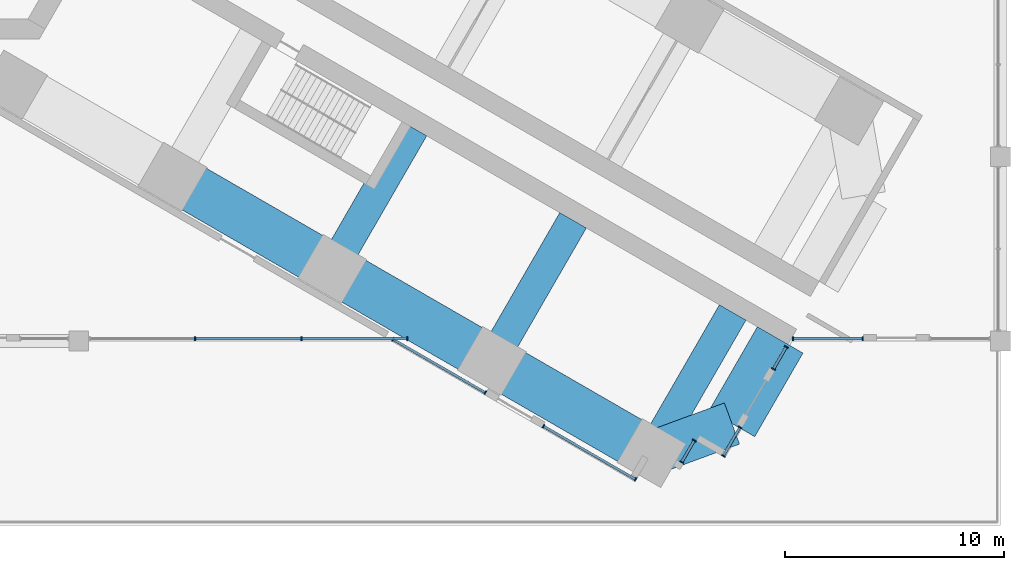
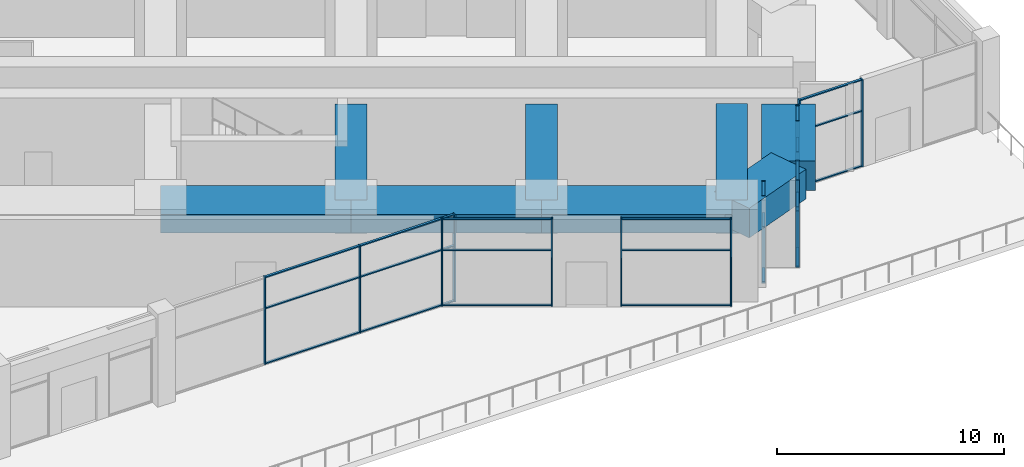
# One storey, part 11 of 34: 39 members, 8 beams, 7 elements without a shape of their own.
"""IFC4 building model written with IfcOpenShell, lengths in metres."""

from ifc_helpers import new_model, si_unit, direction, frame, origin, origin_2d, place, context, subcontext, project, spatial, rectangle, extrude, material, material_profile, profile_set, type_object, element, aggregate, save


model = new_model("IFC4")

# Units and contexts
model_context = context("Model", 3, precision=1e-05, world=origin(), true_north=direction((0.0, 1.0)))
body_context = subcontext(model_context, "Body", "Model", "MODEL_VIEW")
ifc_project = project(units=[si_unit("LENGTHUNIT", "METRE"), si_unit("AREAUNIT", "SQUARE_METRE"), si_unit("VOLUMEUNIT", "CUBIC_METRE"), si_unit("PLANEANGLEUNIT", "RADIAN"), si_unit("MASSUNIT", "GRAM", prefix="KILO")], contexts=[model_context])

# Site, building, storey
site_placement = place(None, origin())
site = spatial("IfcSite", under=ifc_project, at=site_placement, CompositionType="ELEMENT")
building_placement = place(site_placement, origin())
building = spatial("IfcBuilding", under=site, at=building_placement, Name="Impinga Residences", CompositionType="ELEMENT")
storey_placement = place(building_placement, frame((0.0, 0.0, 11.0)))
storey = spatial("IfcBuildingStorey", under=building, at=storey_placement, Name="L02", CompositionType="ELEMENT", Elevation=11.0)

# Beams
ifc_material_1 = material(Name="Concrete C60/75", Category="concrete")
ifc_material_profile_1 = material_profile(ifc_material_1, rectangle(XDim=2.0, YDim=1.60009765625, at=origin_2d()), Name="RC 2000x1600")
ifc_profile_set_1 = profile_set([ifc_material_profile_1], Name="Concrete C60/75")
beam_type_1 = type_object("IfcBeamType", Name="CB2 2000x1600 wing end cantilever beam", PredefinedType="BEAM", material=ifc_profile_set_1)
beam_1_placement = place(storey_placement, frame((34.49853515625, -30.31005859375, 3.89990234375), z_axis=(0.938520178725, 0.345224382289, 0.0), x_axis=(-0.345224382289, 0.938520178725, 0.0)))
element("IfcBeam", 1, at=beam_1_placement, inside=storey, type_object=beam_type_1, Name="Beam CB2 EE E5-EX level L03", PredefinedType="BEAM", context=body_context, shape_type="SweptSolid", body=[
    extrude(rectangle(XDim=2.0, YDim=1.60009765625, at=origin_2d()), origin(), (0.0, 0.0, 1.0), 3.905029296875),
])
ifc_material_profile_2 = material_profile(ifc_material_1, rectangle(XDim=1.39990234375, YDim=1.800048828125, at=origin_2d()), Name="RC 1400x1800")
ifc_profile_set_2 = profile_set([ifc_material_profile_2], Name="Concrete C60/75")
beam_type_2 = type_object("IfcBeamType", Name="CG4 1400x1800 cross girder on a wing bay line under the podium floors", PredefinedType="BEAM", material=ifc_profile_set_2)
beam_2_placement = place(storey_placement, frame((23.649169921875, -15.50146484375, 3.800048828125), z_axis=(-0.500003285667, -0.866023506795, 0.0), x_axis=(0.866023506795, -0.500003285667, 0.0)))
element("IfcBeam", 2, at=beam_2_placement, inside=storey, type_object=beam_type_2, Name="Beam CG4 E3 EC/EF level L03", PredefinedType="BEAM", context=body_context, shape_type="SweptSolid", body=[
    extrude(rectangle(XDim=1.39990234375, YDim=1.800048828125, at=origin_2d()), origin(), (0.0, 0.0, 1.0), 7.39990234375),
])
for number, where, z_axis, x_axis, name in (
    (3, (30.923828125, -19.701416015625, 3.800048828125), (-0.499988999718, -0.866031754707, 0.0), (0.866031754707, -0.499988999718, 0.0), "Beam CG4 E4 EC/EF level L03"),
    (4, (38.198486328125, -23.9013671875, 3.800048828125), (-0.499988999718, -0.866031754707, 0.0), (0.866031754707, -0.499988999718, 0.0), "Beam CG4 E5 EC/EF level L03"),
):
    element("IfcBeam", number, at=place(storey_placement, frame(where, z_axis=z_axis, x_axis=x_axis)), inside=storey, type_object=beam_type_2, Name=name, PredefinedType="BEAM", context=body_context, shape_type="SweptSolid", body=[
        extrude(rectangle(XDim=1.39990234375, YDim=1.800048828125, at=origin_2d()), origin(), (0.0, 0.0, 1.0), 7.400146484375),
    ])

# Curtain wall, members
ifc_material_2 = material(Name="Aluminium stick curtain wall", Category="aluminium")
curtain_wall_type = type_object("IfcCurtainWallType", Name="CW1 podium amenity curtain wall", PredefinedType="USERDEFINED", material=ifc_material_2)
curtain_wall_1_placement = place(storey_placement, origin())
curtain_wall_1 = element("IfcCurtainWall", 5, at=curtain_wall_1_placement, inside=storey, type_object=curtain_wall_type, Name="Curtain wall CW1 L02", ObjectType="STICK CURTAIN WALL", PredefinedType="USERDEFINED")
ifc_material_3 = material(Name="Aluminium mullion", Category="aluminium")
ifc_material_profile_3 = material_profile(ifc_material_3, rectangle(XDim=0.06005859375, YDim=0.179931640625, at=origin_2d()), Name="60x180 mullion")
ifc_profile_set_3 = profile_set([ifc_material_profile_3], Name="Aluminium mullion")
member_type_1 = type_object("IfcMemberType", Name="CW1-M mullion 60x180", PredefinedType="MULLION", material=ifc_profile_set_3)
member_1_placement = place(storey_placement, frame((44.12646484375, -25.10009765625, 0.0), z_axis=(0.0, 0.0, 1.0), x_axis=(-1.0, 0.0, 0.0)))
member_1 = element("IfcMember", 6, at=member_1_placement, type_object=member_type_1, Name="CW1 mullion 1", PredefinedType="MULLION", context=body_context, shape_type="SweptSolid", body=[
    extrude(rectangle(XDim=0.06005859375, YDim=0.179931640625, at=origin_2d()), origin(), (0.0, 0.0, 1.0), 4.699951171875),
])
member_2_placement = place(storey_placement, frame((40.94287109375, -25.10009765625, 0.0), z_axis=(0.0, 0.0, 1.0), x_axis=(-1.0, 0.0, 0.0)))
member_2 = element("IfcMember", 7, at=member_2_placement, type_object=member_type_1, Name="CW1 mullion 2", PredefinedType="MULLION", context=body_context, shape_type="SweptSolid", body=[
    extrude(rectangle(XDim=0.06005859375, YDim=0.179931640625, at=origin_2d()), origin(), (0.0, 0.0, 1.0), 4.699951171875),
])

curtain_wall_2_placement = place(storey_placement, origin())
curtain_wall_2 = element("IfcCurtainWall", 8, at=curtain_wall_2_placement, inside=storey, type_object=curtain_wall_type, Name="Curtain wall CW1 L02", ObjectType="STICK CURTAIN WALL", PredefinedType="USERDEFINED")
member_3_placement = place(storey_placement, frame((40.637939453125, -25.47607421875, 0.0), z_axis=(0.0, 0.0, 1.0), x_axis=(-0.500000310039, -0.866025224783, 0.0)))
member_3 = element("IfcMember", 9, at=member_3_placement, type_object=member_type_1, Name="CW1 mullion 1", PredefinedType="MULLION", context=body_context, shape_type="SweptSolid", body=[
    extrude(rectangle(XDim=0.06005859375, YDim=0.179931640625, at=origin_2d()), origin(), (0.0, 0.0, 1.0), 4.699951171875),
])
member_4_placement = place(storey_placement, frame((40.05810546875, -26.48046875, 0.0), z_axis=(0.0, 0.0, 1.0), x_axis=(-0.500000310039, -0.866025224783, 0.0)))
member_4 = element("IfcMember", 10, at=member_4_placement, type_object=member_type_1, Name="CW1 mullion 2", PredefinedType="MULLION", context=body_context, shape_type="SweptSolid", body=[
    extrude(rectangle(XDim=0.06005859375, YDim=0.179931640625, at=origin_2d()), origin(), (0.0, 0.0, 1.0), 4.699951171875),
])

curtain_wall_3_placement = place(storey_placement, origin())
curtain_wall_3 = element("IfcCurtainWall", 11, at=curtain_wall_3_placement, inside=storey, type_object=curtain_wall_type, Name="Curtain wall CW1 L02", ObjectType="STICK CURTAIN WALL", PredefinedType="USERDEFINED")
member_5_placement = place(storey_placement, frame((38.528076171875, -29.130615234375, 0.0), z_axis=(0.0, 0.0, 1.0), x_axis=(-0.499999723955, -0.866025563159, 0.0)))
member_5 = element("IfcMember", 12, at=member_5_placement, type_object=member_type_1, Name="CW1 mullion 1", PredefinedType="MULLION", context=body_context, shape_type="SweptSolid", body=[
    extrude(rectangle(XDim=0.06005859375, YDim=0.179931640625, at=origin_2d()), origin(), (0.0, 0.0, 1.0), 4.699951171875),
])
member_6_placement = place(storey_placement, frame((37.77490234375, -30.43505859375, 0.0), z_axis=(0.0, 0.0, 1.0), x_axis=(-0.499999723955, -0.866025563159, 0.0)))
member_6 = element("IfcMember", 13, at=member_6_placement, type_object=member_type_1, Name="CW1 mullion 2", PredefinedType="MULLION", context=body_context, shape_type="SweptSolid", body=[
    extrude(rectangle(XDim=0.06005859375, YDim=0.179931640625, at=origin_2d()), origin(), (0.0, 0.0, 1.0), 4.699951171875),
])

curtain_wall_4_placement = place(storey_placement, origin())
curtain_wall_4 = element("IfcCurtainWall", 14, at=curtain_wall_4_placement, inside=storey, type_object=curtain_wall_type, Name="Curtain wall CW1 L02", ObjectType="STICK CURTAIN WALL", PredefinedType="USERDEFINED")
member_7_placement = place(storey_placement, frame((36.44580078125, -29.737060546875, 0.0), z_axis=(0.0, 0.0, 1.0), x_axis=(-0.499999813995, -0.866025511175, 0.0)))
member_7 = element("IfcMember", 15, at=member_7_placement, type_object=member_type_1, Name="CW1 mullion 1", PredefinedType="MULLION", context=body_context, shape_type="SweptSolid", body=[
    extrude(rectangle(XDim=0.06005859375, YDim=0.179931640625, at=origin_2d()), origin(), (0.0, 0.0, 1.0), 4.699951171875),
])
member_8_placement = place(storey_placement, frame((35.8759765625, -30.72412109375, 0.0), z_axis=(0.0, 0.0, 1.0), x_axis=(-0.499999813995, -0.866025511175, 0.0)))
member_8 = element("IfcMember", 16, at=member_8_placement, type_object=member_type_1, Name="CW1 mullion 2", PredefinedType="MULLION", context=body_context, shape_type="SweptSolid", body=[
    extrude(rectangle(XDim=0.06005859375, YDim=0.179931640625, at=origin_2d()), origin(), (0.0, 0.0, 1.0), 4.699951171875),
])

curtain_wall_5_placement = place(storey_placement, origin())
curtain_wall_5 = element("IfcCurtainWall", 17, at=curtain_wall_5_placement, inside=storey, type_object=curtain_wall_type, Name="Curtain wall CW1 L02", ObjectType="STICK CURTAIN WALL", PredefinedType="USERDEFINED")
member_9_placement = place(storey_placement, frame((33.7724609375, -31.50732421875, 0.0), z_axis=(0.0, 0.0, 1.0), x_axis=(-0.866025446964, 0.499999925211, 0.0)))
member_9 = element("IfcMember", 18, at=member_9_placement, type_object=member_type_1, Name="CW1 mullion 1", PredefinedType="MULLION", context=body_context, shape_type="SweptSolid", body=[
    extrude(rectangle(XDim=0.06005859375, YDim=0.179931640625, at=origin_2d()), origin(), (0.0, 0.0, 1.0), 4.699951171875),
])
member_10_placement = place(storey_placement, frame((29.572998046875, -29.0830078125, 0.0), z_axis=(0.0, 0.0, 1.0), x_axis=(-0.866025446964, 0.499999925211, 0.0)))
member_10 = element("IfcMember", 19, at=member_10_placement, type_object=member_type_1, Name="CW1 mullion 2", PredefinedType="MULLION", context=body_context, shape_type="SweptSolid", body=[
    extrude(rectangle(XDim=0.06005859375, YDim=0.179931640625, at=origin_2d()), origin(), (0.0, 0.0, 1.0), 4.699951171875),
])

curtain_wall_6_placement = place(storey_placement, origin())
curtain_wall_6 = element("IfcCurtainWall", 20, at=curtain_wall_6_placement, inside=storey, type_object=curtain_wall_type, Name="Curtain wall CW1 L02", ObjectType="STICK CURTAIN WALL", PredefinedType="USERDEFINED")
member_11_placement = place(storey_placement, frame((26.923095703125, -27.552978515625, 0.0), z_axis=(0.0, 0.0, 1.0), x_axis=(-0.866025358764, 0.500000077978, 0.0)))
member_11 = element("IfcMember", 21, at=member_11_placement, type_object=member_type_1, Name="CW1 mullion 1", PredefinedType="MULLION", context=body_context, shape_type="SweptSolid", body=[
    extrude(rectangle(XDim=0.06005859375, YDim=0.179931640625, at=origin_2d()), origin(), (0.0, 0.0, 1.0), 4.699951171875),
])
member_12_placement = place(storey_placement, frame((22.7236328125, -25.12841796875, 0.0), z_axis=(0.0, 0.0, 1.0), x_axis=(-0.866025358764, 0.500000077978, 0.0)))
member_12 = element("IfcMember", 22, at=member_12_placement, type_object=member_type_1, Name="CW1 mullion 2", PredefinedType="MULLION", context=body_context, shape_type="SweptSolid", body=[
    extrude(rectangle(XDim=0.06005859375, YDim=0.179931640625, at=origin_2d()), origin(), (0.0, 0.0, 1.0), 4.699951171875),
])

curtain_wall_7_placement = place(storey_placement, origin())
curtain_wall_7 = element("IfcCurtainWall", 23, at=curtain_wall_7_placement, inside=storey, type_object=curtain_wall_type, Name="Curtain wall CW1 L02", ObjectType="STICK CURTAIN WALL", PredefinedType="USERDEFINED")
member_13_placement = place(storey_placement, frame((23.364013671875, -25.10009765625, 0.0), z_axis=(0.0, 0.0, 1.0), x_axis=(-1.0, 0.0, 0.0)))
member_13 = element("IfcMember", 24, at=member_13_placement, type_object=member_type_1, Name="CW1 mullion 1", PredefinedType="MULLION", context=body_context, shape_type="SweptSolid", body=[
    extrude(rectangle(XDim=0.06005859375, YDim=0.179931640625, at=origin_2d()), origin(), (0.0, 0.0, 1.0), 4.699951171875),
])
member_14_placement = place(storey_placement, frame((18.547119140625, -25.10009765625, 0.0), z_axis=(0.0, 0.0, 1.0), x_axis=(-1.0, 0.0, 0.0)))
member_14 = element("IfcMember", 25, at=member_14_placement, type_object=member_type_1, Name="CW1 mullion 2", PredefinedType="MULLION", context=body_context, shape_type="SweptSolid", body=[
    extrude(rectangle(XDim=0.06005859375, YDim=0.179931640625, at=origin_2d()), origin(), (0.0, 0.0, 1.0), 4.699951171875),
])
member_15_placement = place(storey_placement, frame((13.699951171875, -25.10009765625, 0.0), z_axis=(0.0, 0.0, 1.0), x_axis=(-1.0, 0.0, 0.0)))
member_15 = element("IfcMember", 26, at=member_15_placement, type_object=member_type_1, Name="CW1 mullion 3", PredefinedType="MULLION", context=body_context, shape_type="SweptSolid", body=[
    extrude(rectangle(XDim=0.06005859375, YDim=0.179931640625, at=origin_2d()), origin(), (0.0, 0.0, 1.0), 4.699951171875),
])

# Member
ifc_material_4 = material(Name="Aluminium transom", Category="aluminium")
ifc_material_profile_4 = material_profile(ifc_material_4, rectangle(XDim=0.06005859375, YDim=0.1201171875, at=origin_2d()), Name="60x120 transom")
ifc_profile_set_4 = profile_set([ifc_material_profile_4], Name="Aluminium transom")
member_type_2 = type_object("IfcMemberType", Name="CW1-T transom 60x120", PredefinedType="USERDEFINED", material=ifc_profile_set_4)
member_16_placement = place(storey_placement, frame((44.096435546875, -25.10009765625, 0.030029296875), z_axis=(-1.0, 0.0, 0.0), x_axis=(0.0, 0.0, 1.0)))
member_16 = element("IfcMember", 27, at=member_16_placement, type_object=member_type_2, Name="CW1 transom 1.1", ObjectType="TRANSOM", PredefinedType="USERDEFINED", context=body_context, shape_type="SweptSolid", body=[
    extrude(rectangle(XDim=0.06005859375, YDim=0.1201171875, at=origin_2d()), origin(), (0.0, 0.0, 1.0), 3.12353515625),
])

member_17_placement = place(storey_placement, frame((44.096435546875, -25.10009765625, 3.0), z_axis=(-1.0, 0.0, 0.0), x_axis=(0.0, 0.0, 1.0)))
member_17 = element("IfcMember", 28, at=member_17_placement, type_object=member_type_2, Name="CW1 transom 1.2", ObjectType="TRANSOM", PredefinedType="USERDEFINED", context=body_context, shape_type="SweptSolid", body=[
    extrude(rectangle(XDim=0.06005859375, YDim=0.1201171875, at=origin_2d()), origin(), (0.0, 0.0, 1.0), 3.12353515625),
])

member_18_placement = place(storey_placement, frame((44.096435546875, -25.10009765625, 4.669921875), z_axis=(-1.0, 0.0, 0.0), x_axis=(0.0, 0.0, 1.0)))
member_18 = element("IfcMember", 29, at=member_18_placement, type_object=member_type_2, Name="CW1 transom 1.3", ObjectType="TRANSOM", PredefinedType="USERDEFINED", context=body_context, shape_type="SweptSolid", body=[
    extrude(rectangle(XDim=0.06005859375, YDim=0.1201171875, at=origin_2d()), origin(), (0.0, 0.0, 1.0), 3.12353515625),
])

aggregate(curtain_wall_1, [member_1, member_2, member_16, member_17, member_18])

member_19_placement = place(storey_placement, frame((40.623046875, -25.501953125, 0.030029296875), z_axis=(-0.50002983664, -0.866008176907, 0.0), x_axis=(0.0, 0.0, 1.0)))
member_19 = element("IfcMember", 30, at=member_19_placement, type_object=member_type_2, Name="CW1 transom 1.1", ObjectType="TRANSOM", PredefinedType="USERDEFINED", context=body_context, shape_type="SweptSolid", body=[
    extrude(rectangle(XDim=0.06005859375, YDim=0.1201171875, at=origin_2d()), origin(), (0.0, 0.0, 1.0), 1.10009765625),
])

member_20_placement = place(storey_placement, frame((40.623046875, -25.501953125, 3.0), z_axis=(-0.50002983664, -0.866008176907, 0.0), x_axis=(0.0, 0.0, 1.0)))
member_20 = element("IfcMember", 31, at=member_20_placement, type_object=member_type_2, Name="CW1 transom 1.2", ObjectType="TRANSOM", PredefinedType="USERDEFINED", context=body_context, shape_type="SweptSolid", body=[
    extrude(rectangle(XDim=0.06005859375, YDim=0.1201171875, at=origin_2d()), origin(), (0.0, 0.0, 1.0), 1.10009765625),
])

member_21_placement = place(storey_placement, frame((40.623046875, -25.501953125, 4.669921875), z_axis=(-0.50002983664, -0.866008176907, 0.0), x_axis=(0.0, 0.0, 1.0)))
member_21 = element("IfcMember", 32, at=member_21_placement, type_object=member_type_2, Name="CW1 transom 1.3", ObjectType="TRANSOM", PredefinedType="USERDEFINED", context=body_context, shape_type="SweptSolid", body=[
    extrude(rectangle(XDim=0.06005859375, YDim=0.1201171875, at=origin_2d()), origin(), (0.0, 0.0, 1.0), 1.10009765625),
])

aggregate(curtain_wall_2, [member_3, member_4, member_19, member_20, member_21])

member_22_placement = place(storey_placement, frame((38.51318359375, -29.156494140625, 0.030029296875), z_axis=(-0.500024450573, -0.866011286779, 0.0), x_axis=(0.0, 0.0, 1.0)))
member_22 = element("IfcMember", 33, at=member_22_placement, type_object=member_type_2, Name="CW1 transom 1.1", ObjectType="TRANSOM", PredefinedType="USERDEFINED", context=body_context, shape_type="SweptSolid", body=[
    extrude(rectangle(XDim=0.06005859375, YDim=0.1201171875, at=origin_2d()), origin(), (0.0, 0.0, 1.0), 1.4462890625),
])

member_23_placement = place(storey_placement, frame((38.51318359375, -29.156494140625, 3.0), z_axis=(-0.500024450573, -0.866011286779, 0.0), x_axis=(0.0, 0.0, 1.0)))
member_23 = element("IfcMember", 34, at=member_23_placement, type_object=member_type_2, Name="CW1 transom 1.2", ObjectType="TRANSOM", PredefinedType="USERDEFINED", context=body_context, shape_type="SweptSolid", body=[
    extrude(rectangle(XDim=0.06005859375, YDim=0.1201171875, at=origin_2d()), origin(), (0.0, 0.0, 1.0), 1.4462890625),
])

member_24_placement = place(storey_placement, frame((38.51318359375, -29.156494140625, 4.669921875), z_axis=(-0.500024450573, -0.866011286779, 0.0), x_axis=(0.0, 0.0, 1.0)))
member_24 = element("IfcMember", 35, at=member_24_placement, type_object=member_type_2, Name="CW1 transom 1.3", ObjectType="TRANSOM", PredefinedType="USERDEFINED", context=body_context, shape_type="SweptSolid", body=[
    extrude(rectangle(XDim=0.06005859375, YDim=0.1201171875, at=origin_2d()), origin(), (0.0, 0.0, 1.0), 1.4462890625),
])

aggregate(curtain_wall_3, [member_5, member_6, member_22, member_23, member_24])

member_25_placement = place(storey_placement, frame((36.430908203125, -29.762939453125, 0.030029296875), z_axis=(-0.500029011134, -0.866008653551, 0.0), x_axis=(0.0, 0.0, 1.0)))
member_25 = element("IfcMember", 36, at=member_25_placement, type_object=member_type_2, Name="CW1 transom 1.1", ObjectType="TRANSOM", PredefinedType="USERDEFINED", context=body_context, shape_type="SweptSolid", body=[
    extrude(rectangle(XDim=0.06005859375, YDim=0.1201171875, at=origin_2d()), origin(), (0.0, 0.0, 1.0), 1.080078125),
])

member_26_placement = place(storey_placement, frame((36.430908203125, -29.762939453125, 3.0), z_axis=(-0.500029011134, -0.866008653551, 0.0), x_axis=(0.0, 0.0, 1.0)))
member_26 = element("IfcMember", 37, at=member_26_placement, type_object=member_type_2, Name="CW1 transom 1.2", ObjectType="TRANSOM", PredefinedType="USERDEFINED", context=body_context, shape_type="SweptSolid", body=[
    extrude(rectangle(XDim=0.06005859375, YDim=0.1201171875, at=origin_2d()), origin(), (0.0, 0.0, 1.0), 1.080078125),
])

member_27_placement = place(storey_placement, frame((36.430908203125, -29.762939453125, 4.669921875), z_axis=(-0.500029011134, -0.866008653551, 0.0), x_axis=(0.0, 0.0, 1.0)))
member_27 = element("IfcMember", 38, at=member_27_placement, type_object=member_type_2, Name="CW1 transom 1.3", ObjectType="TRANSOM", PredefinedType="USERDEFINED", context=body_context, shape_type="SweptSolid", body=[
    extrude(rectangle(XDim=0.06005859375, YDim=0.1201171875, at=origin_2d()), origin(), (0.0, 0.0, 1.0), 1.080078125),
])

aggregate(curtain_wall_4, [member_7, member_8, member_25, member_26, member_27])

member_28_placement = place(storey_placement, frame((33.74658203125, -31.492431640625, 0.030029296875), z_axis=(-0.866025985952, 0.499998991654, 0.0), x_axis=(0.0, 0.0, 1.0)))
member_28 = element("IfcMember", 39, at=member_28_placement, type_object=member_type_2, Name="CW1 transom 1.1", ObjectType="TRANSOM", PredefinedType="USERDEFINED", context=body_context, shape_type="SweptSolid", body=[
    extrude(rectangle(XDim=0.06005859375, YDim=0.1201171875, at=origin_2d()), origin(), (0.0, 0.0, 1.0), 4.7890625),
])

member_29_placement = place(storey_placement, frame((33.74658203125, -31.492431640625, 3.0), z_axis=(-0.866025985952, 0.499998991654, 0.0), x_axis=(0.0, 0.0, 1.0)))
member_29 = element("IfcMember", 40, at=member_29_placement, type_object=member_type_2, Name="CW1 transom 1.2", ObjectType="TRANSOM", PredefinedType="USERDEFINED", context=body_context, shape_type="SweptSolid", body=[
    extrude(rectangle(XDim=0.06005859375, YDim=0.1201171875, at=origin_2d()), origin(), (0.0, 0.0, 1.0), 4.7890625),
])

member_30_placement = place(storey_placement, frame((33.74658203125, -31.492431640625, 4.669921875), z_axis=(-0.866025985952, 0.499998991654, 0.0), x_axis=(0.0, 0.0, 1.0)))
member_30 = element("IfcMember", 41, at=member_30_placement, type_object=member_type_2, Name="CW1 transom 1.3", ObjectType="TRANSOM", PredefinedType="USERDEFINED", context=body_context, shape_type="SweptSolid", body=[
    extrude(rectangle(XDim=0.06005859375, YDim=0.1201171875, at=origin_2d()), origin(), (0.0, 0.0, 1.0), 4.7890625),
])

aggregate(curtain_wall_5, [member_9, member_10, member_28, member_29, member_30])

member_31_placement = place(storey_placement, frame((26.89697265625, -27.537841796875, 0.030029296875), z_axis=(-0.866013240487, 0.500021066857, 0.0), x_axis=(0.0, 0.0, 1.0)))
member_31 = element("IfcMember", 42, at=member_31_placement, type_object=member_type_2, Name="CW1 transom 1.1", ObjectType="TRANSOM", PredefinedType="USERDEFINED", context=body_context, shape_type="SweptSolid", body=[
    extrude(rectangle(XDim=0.06005859375, YDim=0.1201171875, at=origin_2d()), origin(), (0.0, 0.0, 1.0), 4.788818359375),
])

member_32_placement = place(storey_placement, frame((26.89697265625, -27.537841796875, 3.0), z_axis=(-0.866013240487, 0.500021066857, 0.0), x_axis=(0.0, 0.0, 1.0)))
member_32 = element("IfcMember", 43, at=member_32_placement, type_object=member_type_2, Name="CW1 transom 1.2", ObjectType="TRANSOM", PredefinedType="USERDEFINED", context=body_context, shape_type="SweptSolid", body=[
    extrude(rectangle(XDim=0.06005859375, YDim=0.1201171875, at=origin_2d()), origin(), (0.0, 0.0, 1.0), 4.788818359375),
])

member_33_placement = place(storey_placement, frame((26.89697265625, -27.537841796875, 4.669921875), z_axis=(-0.866013240487, 0.500021066857, 0.0), x_axis=(0.0, 0.0, 1.0)))
member_33 = element("IfcMember", 44, at=member_33_placement, type_object=member_type_2, Name="CW1 transom 1.3", ObjectType="TRANSOM", PredefinedType="USERDEFINED", context=body_context, shape_type="SweptSolid", body=[
    extrude(rectangle(XDim=0.06005859375, YDim=0.1201171875, at=origin_2d()), origin(), (0.0, 0.0, 1.0), 4.788818359375),
])

aggregate(curtain_wall_6, [member_11, member_12, member_31, member_32, member_33])

member_34_placement = place(storey_placement, frame((23.333984375, -25.10009765625, 0.030029296875), z_axis=(-1.0, 0.0, 0.0), x_axis=(0.0, 0.0, 1.0)))
member_34 = element("IfcMember", 45, at=member_34_placement, type_object=member_type_2, Name="CW1 transom 1.1", ObjectType="TRANSOM", PredefinedType="USERDEFINED", context=body_context, shape_type="SweptSolid", body=[
    extrude(rectangle(XDim=0.06005859375, YDim=0.1201171875, at=origin_2d()), origin(), (0.0, 0.0, 1.0), 4.7568359375),
])

member_35_placement = place(storey_placement, frame((23.333984375, -25.10009765625, 3.0), z_axis=(-1.0, 0.0, 0.0), x_axis=(0.0, 0.0, 1.0)))
member_35 = element("IfcMember", 46, at=member_35_placement, type_object=member_type_2, Name="CW1 transom 1.2", ObjectType="TRANSOM", PredefinedType="USERDEFINED", context=body_context, shape_type="SweptSolid", body=[
    extrude(rectangle(XDim=0.06005859375, YDim=0.1201171875, at=origin_2d()), origin(), (0.0, 0.0, 1.0), 4.7568359375),
])

member_36_placement = place(storey_placement, frame((23.333984375, -25.10009765625, 4.669921875), z_axis=(-1.0, 0.0, 0.0), x_axis=(0.0, 0.0, 1.0)))
member_36 = element("IfcMember", 47, at=member_36_placement, type_object=member_type_2, Name="CW1 transom 1.3", ObjectType="TRANSOM", PredefinedType="USERDEFINED", context=body_context, shape_type="SweptSolid", body=[
    extrude(rectangle(XDim=0.06005859375, YDim=0.1201171875, at=origin_2d()), origin(), (0.0, 0.0, 1.0), 4.7568359375),
])

member_37_placement = place(storey_placement, frame((18.51708984375, -25.10009765625, 0.030029296875), z_axis=(-1.0, 0.0, 0.0), x_axis=(0.0, 0.0, 1.0)))
member_37 = element("IfcMember", 48, at=member_37_placement, type_object=member_type_2, Name="CW1 transom 2.1", ObjectType="TRANSOM", PredefinedType="USERDEFINED", context=body_context, shape_type="SweptSolid", body=[
    extrude(rectangle(XDim=0.06005859375, YDim=0.1201171875, at=origin_2d()), origin(), (0.0, 0.0, 1.0), 4.787109375),
])

member_38_placement = place(storey_placement, frame((18.51708984375, -25.10009765625, 3.0), z_axis=(-1.0, 0.0, 0.0), x_axis=(0.0, 0.0, 1.0)))
member_38 = element("IfcMember", 49, at=member_38_placement, type_object=member_type_2, Name="CW1 transom 2.2", ObjectType="TRANSOM", PredefinedType="USERDEFINED", context=body_context, shape_type="SweptSolid", body=[
    extrude(rectangle(XDim=0.06005859375, YDim=0.1201171875, at=origin_2d()), origin(), (0.0, 0.0, 1.0), 4.787109375),
])

member_39_placement = place(storey_placement, frame((18.51708984375, -25.10009765625, 4.669921875), z_axis=(-1.0, 0.0, 0.0), x_axis=(0.0, 0.0, 1.0)))
member_39 = element("IfcMember", 50, at=member_39_placement, type_object=member_type_2, Name="CW1 transom 2.3", ObjectType="TRANSOM", PredefinedType="USERDEFINED", context=body_context, shape_type="SweptSolid", body=[
    extrude(rectangle(XDim=0.06005859375, YDim=0.1201171875, at=origin_2d()), origin(), (0.0, 0.0, 1.0), 4.787109375),
])

aggregate(curtain_wall_7, [member_13, member_14, member_15, member_34, member_35, member_36, member_37, member_38, member_39])

# Beams
ifc_material_profile_5 = material_profile(ifc_material_1, rectangle(XDim=2.39990234375, YDim=1.60009765625, at=origin_2d()), Name="RC 2400x1600")
ifc_profile_set_5 = profile_set([ifc_material_profile_5], Name="Concrete C60/75")
beam_type_3 = type_object("IfcBeamType", Name="EB2 2400x1600 wing end beam", PredefinedType="BEAM", material=ifc_profile_set_5)
beam_3_placement = place(storey_placement, frame((40.363525390625, -25.1513671875, 3.89990234375), z_axis=(-0.499988222896, -0.866032203192, 0.0), x_axis=(0.866032203192, -0.499988222896, 0.0)))
element("IfcBeam", 51, at=beam_3_placement, inside=storey, type_object=beam_type_3, Name="Beam EB2 EX4 level L03", PredefinedType="BEAM", context=body_context, shape_type="SweptSolid", body=[
    extrude(rectangle(XDim=2.39990234375, YDim=1.60009765625, at=origin_2d()), origin(), (0.0, 0.0, 1.0), 4.39990234375),
])
ifc_material_profile_6 = material_profile(ifc_material_1, rectangle(XDim=2.199951171875, YDim=1.0, at=origin_2d()), Name="RC 2200x1000")
ifc_profile_set_6 = profile_set([ifc_material_profile_6], Name="Concrete C60/75")
beam_type_4 = type_object("IfcBeamType", Name="PB3 2200x1000 podium band beam", PredefinedType="BEAM", material=ifc_profile_set_6)
beam_4_placement = place(storey_placement, frame((12.674560546875, -17.7099609375, 4.199951171875), z_axis=(0.86602925447, -0.499993330357, 0.0), x_axis=(0.499993330357, 0.86602925447, 0.0)))
element("IfcBeam", 52, at=beam_4_placement, inside=storey, type_object=beam_type_4, Name="Beam PB3 EF E2-E3 level L03", PredefinedType="BEAM", context=body_context, shape_type="SweptSolid", body=[
    extrude(rectangle(XDim=2.199951171875, YDim=1.0, at=origin_2d()), origin(), (0.0, 0.0, 1.0), 8.39990234375),
])
beam_5_placement = place(storey_placement, frame((19.94921875, -21.909912109375, 4.199951171875), z_axis=(0.866016669275, -0.500015128309, 0.0), x_axis=(0.500015128309, 0.866016669275, 0.0)))
element("IfcBeam", 53, at=beam_5_placement, inside=storey, type_object=beam_type_4, Name="Beam PB3 EF E3-E4 level L03", PredefinedType="BEAM", context=body_context, shape_type="SweptSolid", body=[
    extrude(rectangle(XDim=2.199951171875, YDim=1.0, at=origin_2d()), origin(), (0.0, 0.0, 1.0), 8.400146484375),
])
beam_6_placement = place(storey_placement, frame((27.223876953125, -26.110107421875, 4.199951171875), z_axis=(0.86602925447, -0.499993330357, 0.0), x_axis=(0.499993330357, 0.86602925447, 0.0)))
element("IfcBeam", 54, at=beam_6_placement, inside=storey, type_object=beam_type_4, Name="Beam PB3 EF E4-E5 level L03", PredefinedType="BEAM", context=body_context, shape_type="SweptSolid", body=[
    extrude(rectangle(XDim=2.199951171875, YDim=1.0, at=origin_2d()), origin(), (0.0, 0.0, 1.0), 8.39990234375),
])

save(model, "model.ifc")
